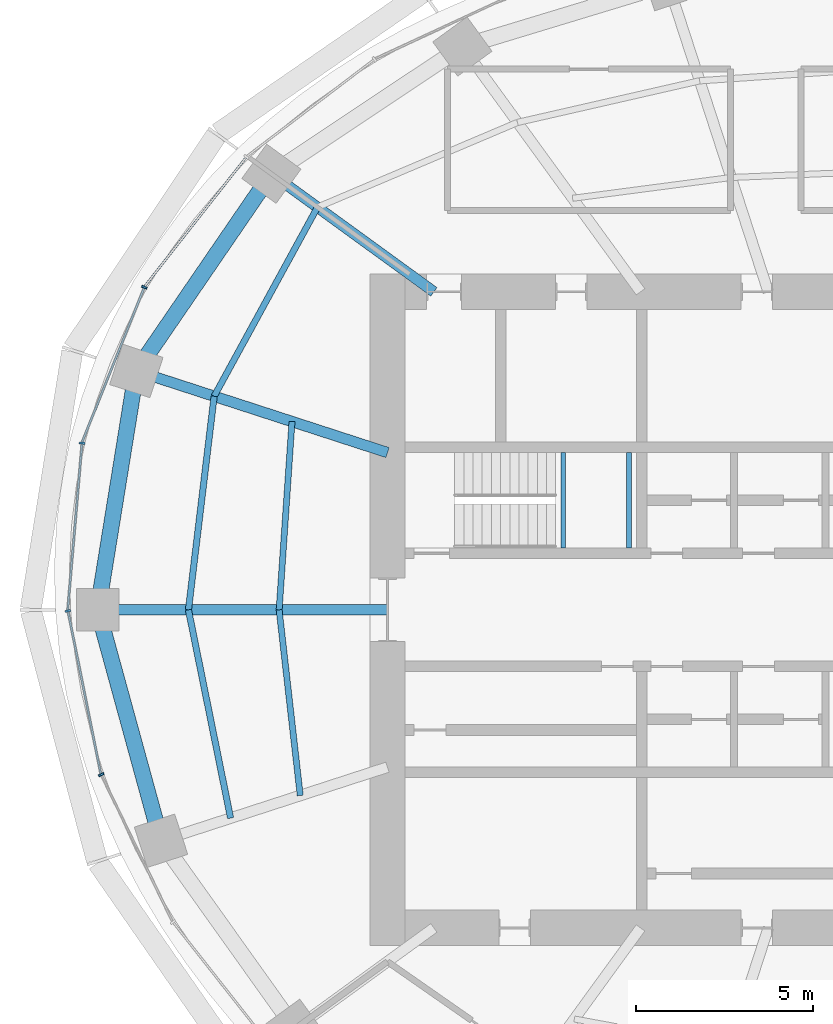
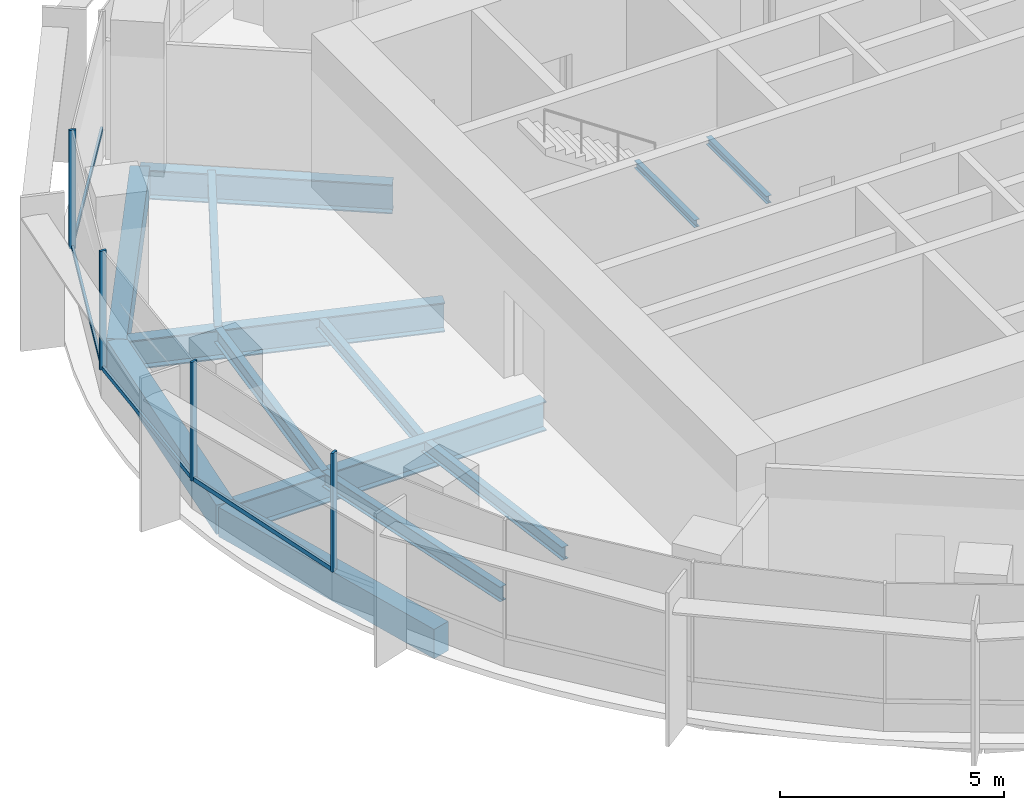
# One storey, part 4 of 13: 13 beams, 8 members, 2 elements without a shape of their own.
"""IFC4 building model written with IfcOpenShell, lengths in metres."""

import ifcopenshell
import ifcopenshell.guid

model = None  # the IFC model being written
_history = None  # IfcOwnerHistory: only IFC2X3 demands one
_inside = {}  # id of a spatial element -> (the spatial element, [elements in it])
_under = {}  # id of a project, library or spatial element -> (it, [spatial elements below it])
_declared = {}  # id of a project -> (the project, [libraries it declares])
_typed = {}  # id of a type object -> (the type object, [elements of that type])
_made_of = {}  # id of a material, layer set ... -> (it, [elements and type objects made of it])


def new_model(schema):
    """Start an empty IFC model of exactly this schema.

    Asked for "IFC4X3", IfcOpenShell would pick the latest addendum, in which some entities
    have other attributes; the version numbers below select the first issue.
    IFC2X3 requires an IfcOwnerHistory on every rooted entity: one is made here for all.
    """
    global model, _history
    if schema == "IFC4X3":
        model = ifcopenshell.file(schema_version=(4, 3, 0, 0))
    else:
        model = ifcopenshell.file(schema=schema)
    _inside.clear()
    _under.clear()
    _declared.clear()
    _typed.clear()
    _made_of.clear()
    _history = None
    if model.schema == "IFC2X3":
        org = make("IfcOrganization", Name="unknown")
        user = make(
            "IfcPersonAndOrganization",
            ThePerson=make("IfcPerson", FamilyName="unknown"),
            TheOrganization=org,
        )
        app = make(
            "IfcApplication",
            ApplicationDeveloper=org,
            Version="unknown",
            ApplicationFullName="unknown",
            ApplicationIdentifier="unknown",
        )
        _history = make(
            "IfcOwnerHistory",
            OwningUser=user,
            OwningApplication=app,
            ChangeAction="ADDED",
            CreationDate=0,
        )
    return model


def make(cls, **values):
    """One entity of the class cls with the attributes given. An attribute that is None is left unset."""
    return model.create_entity(
        cls, **{name: value for name, value in values.items() if value is not None}
    )


def rooted(cls, **values):
    """An entity with a GlobalId (a new one), such as an element, a storey or a relation."""
    return make(cls, GlobalId=ifcopenshell.guid.new(), OwnerHistory=_history, **values)


def si_unit(unit_type, name, prefix=None):
    """IfcSIUnit, for example si_unit("LENGTHUNIT", "METRE", prefix="MILLI")."""
    return make("IfcSIUnit", UnitType=unit_type, Prefix=prefix, Name=name)


def assignment(units):
    """IfcUnitAssignment: the units of a project."""
    return None if units is None else make("IfcUnitAssignment", Units=units)


def point(xyz):
    """IfcCartesianPoint."""
    return None if xyz is None else make("IfcCartesianPoint", Coordinates=xyz)


def direction(xyz):
    """IfcDirection."""
    return None if xyz is None else make("IfcDirection", DirectionRatios=xyz)


def frame(location, z_axis=None, x_axis=None):
    """IfcAxis2Placement3D, a coordinate frame: its origin and axes. An axis left out is left unset."""
    return make(
        "IfcAxis2Placement3D",
        Location=point(location),
        Axis=direction(z_axis),
        RefDirection=direction(x_axis),
    )


def frame_2d(location, x_axis=None):
    """IfcAxis2Placement2D, a coordinate frame in the plane: its origin and x axis."""
    return make(
        "IfcAxis2Placement2D", Location=point(location), RefDirection=direction(x_axis)
    )


def origin():
    """The frame at (0, 0, 0) with its axes left unset."""
    return frame((0.0, 0.0, 0.0))


def origin_2d():
    """The frame at (0, 0) in the plane with its x axis left unset."""
    return frame_2d((0.0, 0.0))


def place(relative_to, where):
    """IfcLocalPlacement: puts the frame where relative to a parent placement (None: the world)."""
    return make(
        "IfcLocalPlacement", PlacementRelTo=relative_to, RelativePlacement=where
    )


def context(
    kind, dimensions, precision=None, world=None, true_north=None, identifier=None
):
    """IfcGeometricRepresentationContext, for example the 3D "Model" context."""
    return make(
        "IfcGeometricRepresentationContext",
        ContextIdentifier=identifier,
        ContextType=kind,
        CoordinateSpaceDimension=dimensions,
        Precision=precision,
        WorldCoordinateSystem=world,
        TrueNorth=true_north,
    )


def subcontext(parent, identifier, kind, view, scale=None):
    """IfcGeometricRepresentationSubContext, for example "Body" below "Model"."""
    return make(
        "IfcGeometricRepresentationSubContext",
        ContextIdentifier=identifier,
        ContextType=kind,
        ParentContext=parent,
        TargetScale=scale,
        TargetView=view,
    )


def project(units=None, contexts=None):
    """IfcProject with its units and contexts."""
    return rooted(
        "IfcProject",
        Name="project",
        RepresentationContexts=contexts,
        UnitsInContext=assignment(units),
    )


def spatial(cls, under=None, at=None, **own):
    """A site, building, storey or space (cls), placed at a placement, below another one or the project."""
    s = rooted(cls, ObjectPlacement=at, **own)
    if under is not None:
        _under.setdefault(under.id(), (under, []))[1].append(s)
    return s


def profile(cls, at=None, kind="AREA", **sizes):
    """A parametric profile (cls). Its sizes go by their IFC names, for example OverallWidth=200.0."""
    return make(cls, ProfileType=kind, Position=at, **sizes)


def rectangle(**sizes):
    """IfcRectangleProfileDef."""
    return profile("IfcRectangleProfileDef", **sizes)


def i_section(**sizes):
    """IfcIShapeProfileDef."""
    return profile("IfcIShapeProfileDef", **sizes)


def extrude(swept, where, along, depth):
    """IfcExtrudedAreaSolid: the profile swept, set in the frame where, extruded along a direction by depth."""
    return make(
        "IfcExtrudedAreaSolid",
        SweptArea=swept,
        Position=where,
        ExtrudedDirection=direction(along),
        Depth=depth,
    )


def shape(context_of_items, identifier, shape_type, items):
    """IfcShapeRepresentation: the items that make up one representation, for example the "Body"."""
    return make(
        "IfcShapeRepresentation",
        ContextOfItems=context_of_items,
        RepresentationIdentifier=identifier,
        RepresentationType=shape_type,
        Items=items,
    )


def material(Name=None, Category=None):
    """IfcMaterial."""
    return make("IfcMaterial", Name=Name, Category=Category)


def material_profile(
    of_material, cross_section, Name=None, Category=None, Priority=None
):
    """IfcMaterialProfile: a cross section and its material."""
    return make(
        "IfcMaterialProfile",
        Name=Name,
        Material=of_material,
        Profile=cross_section,
        Priority=Priority,
        Category=Category,
    )


def profile_set(profiles, Name=None, composite=None):
    """IfcMaterialProfileSet."""
    return make(
        "IfcMaterialProfileSet",
        Name=Name,
        MaterialProfiles=profiles,
        CompositeProfile=composite,
    )


def made_of(thing, what):
    """Note that an element or type object is made of a material, layer set ...; save() writes the relation."""
    if what is not None:
        _made_of.setdefault(what.id(), (what, []))[1].append(thing)
    return thing


def type_object(cls, material=None, **own):
    """A type object (cls), such as IfcWallType, which elements share."""
    return made_of(rooted(cls, **own), material)


def element(
    cls,
    number,
    at=None,
    inside=None,
    cuts=None,
    type_object=None,
    material=None,
    context=None,
    identifier="Body",
    shape_type=None,
    held_by="IfcProductDefinitionShape",
    body=None,
    shapes=None,
    **own,
):
    """One element of the class cls, such as IfcWall. Its Tag is "e" and its number.

    at: its placement. inside: the storey or other place that contains it. cuts: it is an
    opening in that element (IfcRelVoidsElement). A single representation is given by context,
    identifier, shape_type and body (its items); several are given by shapes. held_by: the class
    of the entity that holds the representations. save() writes the other relations.
    """
    e = rooted(cls, Tag="e%d" % number, ObjectPlacement=at, **own)
    if body is not None:
        shapes = [shape(context, identifier, shape_type, body)]
    if shapes is not None:
        e.Representation = make(held_by, Representations=shapes)
    if inside is not None:
        _inside.setdefault(inside.id(), (inside, []))[1].append(e)
    if cuts is not None:
        rooted(
            "IfcRelVoidsElement", RelatingBuildingElement=cuts, RelatedOpeningElement=e
        )
    if type_object is not None:
        _typed.setdefault(type_object.id(), (type_object, []))[1].append(e)
    return made_of(e, material)


def aggregate(whole, parts):
    """IfcRelAggregates: a whole, such as a stair, and the parts it consists of."""
    return rooted("IfcRelAggregates", RelatingObject=whole, RelatedObjects=parts)


def save(model, path):
    """Write the relations noted so far, then the file.

    IfcRelAggregates (storeys below a building ...), IfcRelContainedInSpatialStructure (elements
    in a storey), IfcRelDefinesByType, IfcRelAssociatesMaterial and IfcRelDeclares: one each for
    every whole, place, type object, material and project.
    """
    for whole, parts in _under.values():
        aggregate(whole, parts)
    for where, things in _inside.values():
        rooted(
            "IfcRelContainedInSpatialStructure",
            RelatedElements=things,
            RelatingStructure=where,
        )
    for kind, things in _typed.values():
        rooted("IfcRelDefinesByType", RelatedObjects=things, RelatingType=kind)
    for what, things in _made_of.values():
        rooted("IfcRelAssociatesMaterial", RelatedObjects=things, RelatingMaterial=what)
    for by, libraries in _declared.values():
        rooted("IfcRelDeclares", RelatingContext=by, RelatedDefinitions=libraries)
    model.write(path)


model = new_model("IFC4")

# Units and contexts
model_context = context("Model", 3, precision=1e-05, world=origin(), true_north=direction((0.0, 1.0)))
body_context = subcontext(model_context, "Body", "Model", "MODEL_VIEW")
ifc_project = project(units=[si_unit("LENGTHUNIT", "METRE"), si_unit("AREAUNIT", "SQUARE_METRE"), si_unit("VOLUMEUNIT", "CUBIC_METRE"), si_unit("PLANEANGLEUNIT", "RADIAN"), si_unit("MASSUNIT", "GRAM", prefix="KILO")], contexts=[model_context])

# Site, building, storey
site_placement = place(None, origin())
site = spatial("IfcSite", under=ifc_project, at=site_placement, CompositionType="ELEMENT")
building_placement = place(site_placement, origin())
building = spatial("IfcBuilding", under=site, at=building_placement, Name="Marramba Exchange Tower", CompositionType="ELEMENT")
storey_placement = place(building_placement, frame((0.0, 0.0, 268.60009765625)))
storey = spatial("IfcBuildingStorey", under=building, at=storey_placement, Name="L65", CompositionType="ELEMENT", Elevation=268.60009765625)

# Curtain wall, members
ifc_material_1 = material(Name="Aluminium framing, bronze anodised", Category="aluminium")
curtain_wall_type = type_object("IfcCurtainWallType", Name="Executive floor ribbon curtain wall", PredefinedType="USERDEFINED", material=ifc_material_1)
curtain_wall_1_placement = place(storey_placement, origin())
curtain_wall_1 = element("IfcCurtainWall", 1, at=curtain_wall_1_placement, inside=storey, type_object=curtain_wall_type, Name="Curtain wall CW5 L65 F11-F15", ObjectType="RIBBON CURTAIN WALL", PredefinedType="USERDEFINED")
ifc_material_2 = material(Name="Aluminium mullion, bronze anodised", Category="aluminium")
ifc_material_profile_1 = material_profile(ifc_material_2, rectangle(XDim=0.159912109375, YDim=0.06005859375, at=origin_2d()), Name="CW5 mullion 60x160")
ifc_profile_set_1 = profile_set([ifc_material_profile_1], Name="Aluminium mullion, bronze anodised")
member_type_1 = type_object("IfcMemberType", Name="Executive floor ribbon curtain wall mullion", PredefinedType="MULLION", material=ifc_profile_set_1)
member_1_placement = place(storey_placement, frame((-20.580810546875, 9.13037109375, 0.7998046875), z_axis=(0.0, 0.0, 1.0), x_axis=(0.927838139977, -0.372983090774, 0.0)))
member_1 = element("IfcMember", 2, at=member_1_placement, type_object=member_type_1, Name="CW5 mullion 1", PredefinedType="MULLION", context=body_context, shape_type="SweptSolid", body=[
    extrude(rectangle(XDim=0.159912109375, YDim=0.06005859375, at=origin_2d()), origin(), (0.0, 0.0, 1.0), 3.239990234375),
])
member_2_placement = place(storey_placement, frame((-22.3447265625, 4.718994140625, 0.7998046875), z_axis=(0.0, 0.0, 1.0), x_axis=(0.996331816632, -0.085574009881, 0.0)))
member_2 = element("IfcMember", 3, at=member_2_placement, type_object=member_type_1, Name="CW5 mullion 1", PredefinedType="MULLION", context=body_context, shape_type="SweptSolid", body=[
    extrude(rectangle(XDim=0.159912109375, YDim=0.06005859375, at=origin_2d()), origin(), (0.0, 0.0, 1.0), 3.239990234375),
])

curtain_wall_2_placement = place(storey_placement, origin())
curtain_wall_2 = element("IfcCurtainWall", 4, at=curtain_wall_2_placement, inside=storey, type_object=curtain_wall_type, Name="Curtain wall CW5 L65 F16-F20", ObjectType="RIBBON CURTAIN WALL", PredefinedType="USERDEFINED")
member_3_placement = place(storey_placement, frame((-22.744140625, -0.029296875, 0.7998046875), z_axis=(0.0, 0.0, 1.0), x_axis=(0.980268514856, 0.19767053089, 0.0)))
member_3 = element("IfcMember", 5, at=member_3_placement, type_object=member_type_1, Name="CW5 mullion 1", PredefinedType="MULLION", context=body_context, shape_type="SweptSolid", body=[
    extrude(rectangle(XDim=0.159912109375, YDim=0.06005859375, at=origin_2d()), origin(), (0.0, 0.0, 1.0), 3.239990234375),
])
member_4_placement = place(storey_placement, frame((-21.8017578125, -4.663818359375, 0.7998046875), z_axis=(0.0, 0.0, 1.0), x_axis=(0.89969718031, 0.436514585945, 0.0)))
member_4 = element("IfcMember", 6, at=member_4_placement, type_object=member_type_1, Name="CW5 mullion 1", PredefinedType="MULLION", context=body_context, shape_type="SweptSolid", body=[
    extrude(rectangle(XDim=0.159912109375, YDim=0.06005859375, at=origin_2d()), origin(), (0.0, 0.0, 1.0), 3.239990234375),
])

# Member
ifc_material_3 = material(Name="Aluminium transom, bronze anodised", Category="aluminium")
ifc_material_profile_2 = material_profile(ifc_material_3, rectangle(XDim=0.06005859375, YDim=0.1201171875, at=origin_2d()), Name="CW5 transom 60x120")
ifc_profile_set_2 = profile_set([ifc_material_profile_2], Name="Aluminium transom, bronze anodised")
member_type_2 = type_object("IfcMemberType", Name="Executive floor ribbon curtain wall transom", PredefinedType="USERDEFINED", material=ifc_profile_set_2)
member_5_placement = place(storey_placement, frame((-17.71044921875, 12.793212890625, 0.829833984375), z_axis=(-0.618229471001, -0.785997659784, 0.0), x_axis=(0.785997659784, -0.618229471001, 0.0)))
member_5 = element("IfcMember", 7, at=member_5_placement, type_object=member_type_2, Name="CW5 sill transom", ObjectType="TRANSOM", PredefinedType="USERDEFINED", context=body_context, shape_type="SweptSolid", body=[
    extrude(rectangle(XDim=0.06005859375, YDim=0.1201171875, at=origin_2d()), origin(), (0.0, 0.0, 1.0), 4.624755859375),
])

member_6_placement = place(storey_placement, frame((-20.592041015625, 9.1025390625, 0.829833984375), z_axis=(-0.372969057001, -0.927843781312, 0.0), x_axis=(0.927843781312, -0.372969057001, 0.0)))
member_6 = element("IfcMember", 8, at=member_6_placement, type_object=member_type_2, Name="CW5 sill transom", ObjectType="TRANSOM", PredefinedType="USERDEFINED", context=body_context, shape_type="SweptSolid", body=[
    extrude(rectangle(XDim=0.06005859375, YDim=0.1201171875, at=origin_2d()), origin(), (0.0, 0.0, 1.0), 4.692138671875),
])

member_7_placement = place(storey_placement, frame((-22.34716796875, 4.689208984375, 0.829833984375), z_axis=(-0.085590935521, -0.99633036276, 0.0), x_axis=(0.99633036276, -0.085590935521, 0.0)))
member_7 = element("IfcMember", 9, at=member_7_placement, type_object=member_type_2, Name="CW5 sill transom", ObjectType="TRANSOM", PredefinedType="USERDEFINED", context=body_context, shape_type="SweptSolid", body=[
    extrude(rectangle(XDim=0.06005859375, YDim=0.1201171875, at=origin_2d()), origin(), (0.0, 0.0, 1.0), 4.70654296875),
])

aggregate(curtain_wall_1, [member_5, member_1, member_6, member_2, member_7])

member_8_placement = place(storey_placement, frame((-22.738037109375, -0.058837890625, 0.829833984375), z_axis=(0.197654002556, -0.980271847639, 0.0), x_axis=(0.980271847639, 0.197654002556, 0.0)))
member_8 = element("IfcMember", 10, at=member_8_placement, type_object=member_type_2, Name="CW5 sill transom", ObjectType="TRANSOM", PredefinedType="USERDEFINED", context=body_context, shape_type="SweptSolid", body=[
    extrude(rectangle(XDim=0.06005859375, YDim=0.1201171875, at=origin_2d()), origin(), (0.0, 0.0, 1.0), 4.670166015625),
])

aggregate(curtain_wall_2, [member_3, member_8, member_4])

# Beams
ifc_material_4 = material(Name="Steel AS/NZS 3679.1 grade 300", Category="steel")
ifc_material_profile_3 = material_profile(ifc_material_4, i_section(OverallWidth=0.1708984375, OverallDepth=0.35595703125, WebThickness=0.00732421875, FlangeThickness=0.011474609375, FilletRadius=0.011474609375, at=origin_2d()), Name="360UB50.7")
ifc_profile_set_3 = profile_set([ifc_material_profile_3], Name="Steel AS/NZS 3679.1 grade 300")
beam_type_1 = type_object("IfcBeamType", Name="Floor joist 360UB50.7", PredefinedType="JOIST", material=ifc_profile_set_3)
beam_1_placement = place(storey_placement, frame((-16.40283203125, 5.32958984375, -0.338134765625), z_axis=(-0.068096259546, -0.99767875563, 0.0), x_axis=(0.99767875563, -0.068096259546, 0.0)))
element("IfcBeam", 11, at=beam_1_placement, inside=storey, type_object=beam_type_1, Name="Joist L65 bay 10 row 1", PredefinedType="JOIST", context=body_context, shape_type="SweptSolid", body=[
    extrude(i_section(OverallWidth=0.1708984375, OverallDepth=0.35595703125, WebThickness=0.00732421875, FlangeThickness=0.011474609375, FilletRadius=0.011474609375, at=origin_2d()), origin(), (0.0, 0.0, 1.0), 5.342041015625),
])
beam_2_placement = place(storey_placement, frame((-16.7666015625, 0.0, -0.338134765625), z_axis=(0.112888968594, -0.993607609054, 0.0), x_axis=(0.993607609054, 0.112888968594, 0.0)))
element("IfcBeam", 12, at=beam_2_placement, inside=storey, type_object=beam_type_1, Name="Joist L65 bay 11 row 1", PredefinedType="JOIST", context=body_context, shape_type="SweptSolid", body=[
    extrude(i_section(OverallWidth=0.1708984375, OverallDepth=0.35595703125, WebThickness=0.00732421875, FlangeThickness=0.011474609375, FilletRadius=0.011474609375, at=origin_2d()), origin(), (0.0, 0.0, 1.0), 5.28759765625),
])
ifc_material_profile_4 = material_profile(ifc_material_4, i_section(OverallWidth=0.177978515625, OverallDepth=0.403076171875, WebThickness=0.007568359375, FlangeThickness=0.010986328125, FilletRadius=0.011474609375, at=origin_2d()), Name="410UB53.7")
ifc_profile_set_4 = profile_set([ifc_material_profile_4], Name="Steel AS/NZS 3679.1 grade 300")
beam_type_2 = type_object("IfcBeamType", Name="Floor joist 410UB53.7", PredefinedType="JOIST", material=ifc_profile_set_4)
beam_3_placement = place(storey_placement, frame((-15.682373046875, 11.393798828125, -0.361572265625), z_axis=(-0.479584443791, -0.877495732909, 0.0), x_axis=(0.877495732909, -0.479584443791, 0.0)))
element("IfcBeam", 13, at=beam_3_placement, inside=storey, type_object=beam_type_2, Name="Joist L65 bay 09 row 2", PredefinedType="JOIST", context=body_context, shape_type="SweptSolid", body=[
    extrude(i_section(OverallWidth=0.177978515625, OverallDepth=0.403076171875, WebThickness=0.007568359375, FlangeThickness=0.010986328125, FilletRadius=0.011474609375, at=origin_2d()), origin(), (0.0, 0.0, 1.0), 6.094970703125),
])
beam_4_placement = place(storey_placement, frame((-18.60546875, 6.04541015625, -0.361572265625), z_axis=(-0.119523078538, -0.992831422597, 0.0), x_axis=(0.992831422597, -0.119523078538, 0.0)))
element("IfcBeam", 14, at=beam_4_placement, inside=storey, type_object=beam_type_2, Name="Joist L65 bay 10 row 2", PredefinedType="JOIST", context=body_context, shape_type="SweptSolid", body=[
    extrude(i_section(OverallWidth=0.177978515625, OverallDepth=0.403076171875, WebThickness=0.007568359375, FlangeThickness=0.010986328125, FilletRadius=0.011474609375, at=origin_2d()), origin(), (0.0, 0.0, 1.0), 6.089111328125),
])
beam_5_placement = place(storey_placement, frame((-19.333251953125, 0.0, -0.361572265625), z_axis=(0.198489047047, -0.980103105904, 0.0), x_axis=(0.980103105904, 0.198489047047, 0.0)))
element("IfcBeam", 15, at=beam_5_placement, inside=storey, type_object=beam_type_2, Name="Joist L65 bay 11 row 2", PredefinedType="JOIST", context=body_context, shape_type="SweptSolid", body=[
    extrude(i_section(OverallWidth=0.177978515625, OverallDepth=0.403076171875, WebThickness=0.007568359375, FlangeThickness=0.010986328125, FilletRadius=0.011474609375, at=origin_2d()), origin(), (0.0, 0.0, 1.0), 6.013427734375),
])
ifc_material_5 = material(Name="Steel AS/NZS 3679.2 grade 300", Category="steel")
ifc_material_profile_5 = material_profile(ifc_material_5, i_section(OverallWidth=0.300048828125, OverallDepth=0.800048828125, WebThickness=0.013916015625, FlangeThickness=0.031982421875, at=origin_2d()), Name="800WB192")
ifc_profile_set_5 = profile_set([ifc_material_profile_5], Name="Steel AS/NZS 3679.2 grade 300")
beam_type_3 = type_object("IfcBeamType", Name="Radial girder 800WB192", PredefinedType="BEAM", material=ifc_profile_set_5)
beam_6_placement = place(storey_placement, frame((-12.387451171875, 9.0, -0.56005859375), z_axis=(-0.809025746925, 0.587773205252, 0.0), x_axis=(-0.587773205252, -0.809025746925, 0.0)))
element("IfcBeam", 16, at=beam_6_placement, inside=storey, type_object=beam_type_3, Name="Radial girder L65 TC09", PredefinedType="BEAM", context=body_context, shape_type="SweptSolid", body=[
    extrude(i_section(OverallWidth=0.300048828125, OverallDepth=0.800048828125, WebThickness=0.013916015625, FlangeThickness=0.031982421875, at=origin_2d()), origin(), (0.0, 0.0, 1.0), 5.683837890625),
])
beam_7_placement = place(storey_placement, frame((-13.699951171875, 4.451416015625, -0.56005859375), z_axis=(-0.951059990189, 0.309006302624, 0.0), x_axis=(-0.309006302624, -0.951059990189, 0.0)))
element("IfcBeam", 17, at=beam_7_placement, inside=storey, type_object=beam_type_3, Name="Radial girder L65 TC10", PredefinedType="BEAM", context=body_context, shape_type="SweptSolid", body=[
    extrude(i_section(OverallWidth=0.300048828125, OverallDepth=0.800048828125, WebThickness=0.013916015625, FlangeThickness=0.031982421875, at=origin_2d()), origin(), (0.0, 0.0, 1.0), 7.47412109375),
])
beam_8_placement = place(storey_placement, frame((-13.699951171875, 0.0, -0.56005859375), z_axis=(-1.0, 0.0, 0.0), x_axis=(0.0, -1.0, 0.0)))
element("IfcBeam", 18, at=beam_8_placement, inside=storey, type_object=beam_type_3, Name="Radial girder L65 TC11", PredefinedType="BEAM", context=body_context, shape_type="SweptSolid", body=[
    extrude(i_section(OverallWidth=0.300048828125, OverallDepth=0.800048828125, WebThickness=0.013916015625, FlangeThickness=0.031982421875, at=origin_2d()), origin(), (0.0, 0.0, 1.0), 8.199951171875),
])
ifc_material_6 = material(Name="Concrete N50", Category="concrete")
ifc_material_profile_6 = material_profile(ifc_material_6, rectangle(XDim=0.449951171875, YDim=0.800048828125, at=origin_2d()), Name="RC 450x800")
ifc_profile_set_6 = profile_set([ifc_material_profile_6], Name="Concrete N50")
beam_type_4 = type_object("IfcBeamType", Name="Ring beam RC 450x800 N50", PredefinedType="SPANDREL", material=ifc_profile_set_6)
beam_9_placement = place(storey_placement, frame((-16.98583984375, 12.3408203125, -0.56005859375), z_axis=(-0.56516002054, -0.824981303535, 0.0), x_axis=(0.824981303535, -0.56516002054, 0.0)))
element("IfcBeam", 19, at=beam_9_placement, inside=storey, type_object=beam_type_4, Name="Ring beam L65 TC09-TC10", PredefinedType="SPANDREL", context=body_context, shape_type="SweptSolid", body=[
    extrude(rectangle(XDim=0.449951171875, YDim=0.800048828125, at=origin_2d()), origin(), (0.0, 0.0, 1.0), 6.763671875),
])
beam_10_placement = place(storey_placement, frame((-20.808349609375, 6.760986328125, -0.56005859375), z_axis=(-0.159384865399, -0.987216523708, 0.0), x_axis=(0.987216523708, -0.159384865399, 0.0)))
element("IfcBeam", 20, at=beam_10_placement, inside=storey, type_object=beam_type_4, Name="Ring beam L65 TC10-TC11", PredefinedType="SPANDREL", context=body_context, shape_type="SweptSolid", body=[
    extrude(rectangle(XDim=0.449951171875, YDim=0.800048828125, at=origin_2d()), origin(), (0.0, 0.0, 1.0), 6.8486328125),
])
beam_11_placement = place(storey_placement, frame((-21.89990234375, 0.0, -0.56005859375), z_axis=(0.264291166956, -0.964442937176, 0.0), x_axis=(0.964442937176, 0.264291166956, 0.0)))
element("IfcBeam", 21, at=beam_11_placement, inside=storey, type_object=beam_type_4, Name="Ring beam L65 TC11-TC12", PredefinedType="SPANDREL", context=body_context, shape_type="SweptSolid", body=[
    extrude(rectangle(XDim=0.449951171875, YDim=0.800048828125, at=origin_2d()), origin(), (0.0, 0.0, 1.0), 6.77490234375),
])
ifc_material_profile_7 = material_profile(ifc_material_4, i_section(OverallWidth=0.133056640625, OverallDepth=0.202880859375, WebThickness=0.005859375, FlangeThickness=0.0078125, FilletRadius=0.0087890625, at=origin_2d()), Name="200UB25.4")
ifc_profile_set_7 = profile_set([ifc_material_profile_7], Name="Steel AS/NZS 3679.1 grade 300")
beam_type_5 = type_object("IfcBeamType", Name="Stair landing beam 200UB25.4", PredefinedType="BEAM", material=ifc_profile_set_7)
for number, where, z_axis, x_axis, name in (
    (22, (-8.723388671875, 1.75, 1.79833984375), (0.0, 1.0, 0.0), (-1.0, 0.0, 0.0), "Stair landing beam SLB1 ST1 L65 1"),
    (23, (-6.866455078125, 1.75, 1.79833984375), (0.0, 1.0, 0.0), (-1.0, 0.0, 0.0), "Stair landing beam SLB1 ST1 L65 2"),
):
    element("IfcBeam", number, at=place(storey_placement, frame(where, z_axis=z_axis, x_axis=x_axis)), inside=storey, type_object=beam_type_5, Name=name, PredefinedType="BEAM", context=body_context, shape_type="SweptSolid", body=[
        extrude(i_section(OverallWidth=0.133056640625, OverallDepth=0.202880859375, WebThickness=0.005859375, FlangeThickness=0.0078125, FilletRadius=0.0087890625, at=origin_2d()), origin(), (0.0, 0.0, 1.0), 2.699951171875),
    ])

save(model, "model.ifc")
